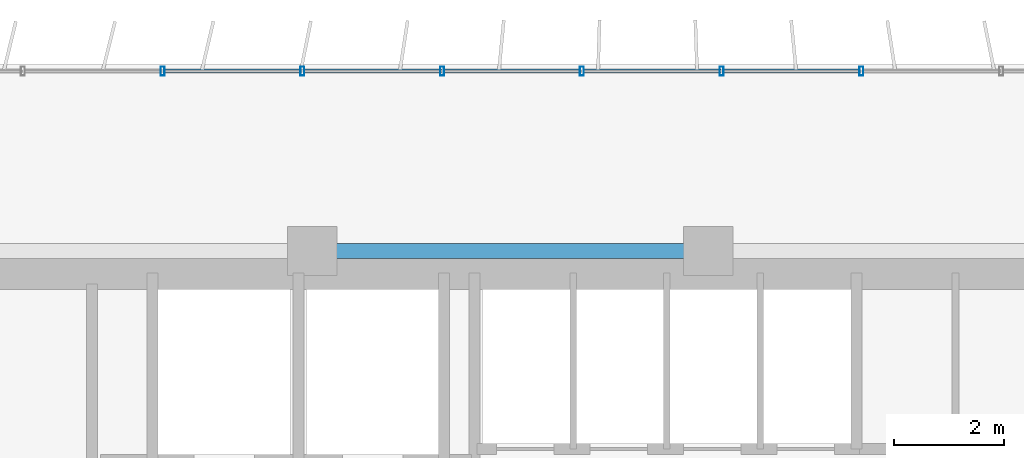
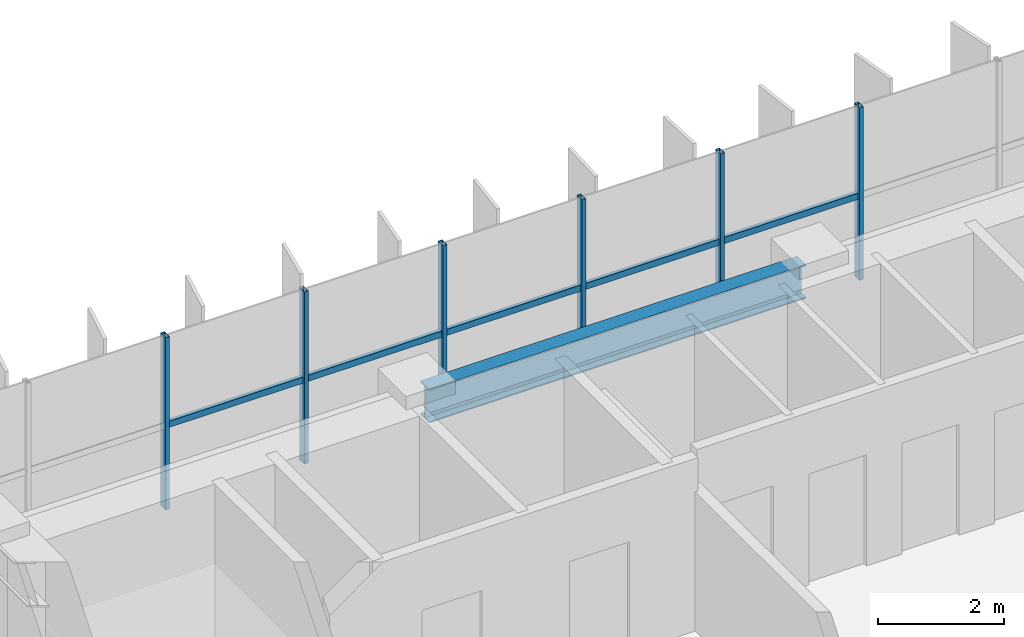
# One storey, part 7 of 21: 11 members, 1 beam, 1 element without a shape of its own.
"""IFC4 building model written with IfcOpenShell, lengths in metres."""

from ifc_helpers import new_model, si_unit, direction, frame, origin, origin_2d, place, context, subcontext, project, spatial, hollow_rectangle, i_section, extrude, source, transform, mapped, material, material_profile, profile_set, type_object, element, aggregate, save


model = new_model("IFC4")

# Units and contexts
model_context = context("Model", 3, precision=1e-05, world=origin(), true_north=direction((0.0, 1.0)))
body_context = subcontext(model_context, "Body", "Model", "MODEL_VIEW")
ifc_project = project(units=[si_unit("LENGTHUNIT", "METRE"), si_unit("AREAUNIT", "SQUARE_METRE"), si_unit("VOLUMEUNIT", "CUBIC_METRE"), si_unit("PLANEANGLEUNIT", "RADIAN"), si_unit("MASSUNIT", "GRAM", prefix="KILO")], contexts=[model_context])

# Site, building, storey
site_placement = place(None, origin())
site = spatial("IfcSite", under=ifc_project, at=site_placement, CompositionType="ELEMENT")
building_placement = place(site_placement, origin())
building = spatial("IfcBuilding", under=site, at=building_placement, Name="Trelvane Seafront Commons", CompositionType="ELEMENT")
storey_placement = place(building_placement, frame((0.0, 0.0, 41.5)))
storey = spatial("IfcBuildingStorey", under=building, at=storey_placement, Name="L10", CompositionType="ELEMENT", Elevation=41.5)

# Beam
ifc_material_1 = material(Name="Steel SM355 (S355)", Category="steel")
ifc_material_profile_1 = material_profile(ifc_material_1, i_section(OverallWidth=0.280029296875, OverallDepth=0.64990234375, WebThickness=0.012939453125, FlangeThickness=0.02197265625, at=origin_2d()), Name="H-650x280x13x22")
ifc_profile_set_1 = profile_set([ifc_material_profile_1], Name="Steel SM355 (S355)")
beam_type = type_object("IfcBeamType", Name="STR-BM-H650", PredefinedType="BEAM", material=ifc_profile_set_1)
shared_shape_1 = source(origin(), body_context, "Body", "SweptSolid", [
    extrude(i_section(OverallWidth=0.280029296875, OverallDepth=0.64990234375, WebThickness=0.012939453125, FlangeThickness=0.02197265625, at=origin_2d()), origin(), (0.0, 0.0, 1.0), 6.89990234375),
])
beam_placement = place(storey_placement, frame((23.550048828125, 45.10009765625, 3.014892578125), z_axis=(1.0, 0.0, 0.0), x_axis=(0.0, 1.0, 0.0)))
element("IfcBeam", 1, at=beam_placement, inside=storey, type_object=beam_type, Name="L10 Primary Girder G-31", PredefinedType="BEAM", context=body_context, shape_type="MappedRepresentation", body=[
    mapped(shared_shape_1, transform((0.0, 0.0, 0.0), x_axis=(1.0, 0.0, 0.0), y_axis=(0.0, 1.0, 0.0), z_axis=(0.0, 0.0, 1.0), scale=1.0)),
])

# Curtain wall, members
ifc_material_2 = material(Name="Anodised pale-silver aluminium", Category="aluminium")
curtain_wall_type = type_object("IfcCurtainWallType", Name="ARCH-CW2-LOWTOWER", PredefinedType="NOTDEFINED", material=ifc_material_2)
curtain_wall_placement = place(storey_placement, origin())
curtain_wall = element("IfcCurtainWall", 2, at=curtain_wall_placement, inside=storey, type_object=curtain_wall_type, Name="CW-L10-0034", PredefinedType="NOTDEFINED")
ifc_material_profile_2 = material_profile(ifc_material_2, hollow_rectangle(XDim=0.074951171875, YDim=0.159912109375, WallThickness=0.00390625, at=origin_2d()), Name="MULL-75x160x4")
ifc_profile_set_2 = profile_set([ifc_material_profile_2], Name="Anodised pale-silver aluminium")
member_type_1 = type_object("IfcMemberType", Name="ARCH-CW-MULL-160", PredefinedType="MULLION", material=ifc_profile_set_2)
shared_shape_2 = source(origin(), body_context, "Body", "SweptSolid", [
    extrude(hollow_rectangle(XDim=0.074951171875, YDim=0.159912109375, WallThickness=0.00390625, at=origin_2d()), origin(), (0.0, 0.0, 1.0), 3.340087890625),
])
member_1_placement = place(storey_placement, frame((20.682373046875, 48.3701171875, 0.0), z_axis=(0.0, 0.0, 1.0), x_axis=(1.0, 0.0, 0.0)))
member_1 = element("IfcMember", 3, at=member_1_placement, type_object=member_type_1, Name="CW-L10-0034-M02", PredefinedType="MULLION", context=body_context, shape_type="MappedRepresentation", body=[
    mapped(shared_shape_2, transform((0.0, 0.0, 0.0), x_axis=(1.0, 0.0, 0.0), y_axis=(0.0, 1.0, 0.0), z_axis=(0.0, 0.0, 1.0), scale=1.0)),
])
member_2_placement = place(storey_placement, frame((23.223388671875, 48.3701171875, 0.0), z_axis=(0.0, 0.0, 1.0), x_axis=(1.0, 0.0, 0.0)))
member_2 = element("IfcMember", 4, at=member_2_placement, type_object=member_type_1, Name="CW-L10-0034-M03", PredefinedType="MULLION", context=body_context, shape_type="MappedRepresentation", body=[
    mapped(shared_shape_2, transform((0.0, 0.0, 0.0), x_axis=(1.0, 0.0, 0.0), y_axis=(0.0, 1.0, 0.0), z_axis=(0.0, 0.0, 1.0), scale=1.0)),
])
member_3_placement = place(storey_placement, frame((25.7646484375, 48.3701171875, 0.0), z_axis=(0.0, 0.0, 1.0), x_axis=(1.0, 0.0, 0.0)))
member_3 = element("IfcMember", 5, at=member_3_placement, type_object=member_type_1, Name="CW-L10-0034-M04", PredefinedType="MULLION", context=body_context, shape_type="MappedRepresentation", body=[
    mapped(shared_shape_2, transform((0.0, 0.0, 0.0), x_axis=(1.0, 0.0, 0.0), y_axis=(0.0, 1.0, 0.0), z_axis=(0.0, 0.0, 1.0), scale=1.0)),
])
member_4_placement = place(storey_placement, frame((28.305908203125, 48.3701171875, 0.0), z_axis=(0.0, 0.0, 1.0), x_axis=(1.0, 0.0, 0.0)))
member_4 = element("IfcMember", 6, at=member_4_placement, type_object=member_type_1, Name="CW-L10-0034-M05", PredefinedType="MULLION", context=body_context, shape_type="MappedRepresentation", body=[
    mapped(shared_shape_2, transform((0.0, 0.0, 0.0), x_axis=(1.0, 0.0, 0.0), y_axis=(0.0, 1.0, 0.0), z_axis=(0.0, 0.0, 1.0), scale=1.0)),
])
member_5_placement = place(storey_placement, frame((30.84716796875, 48.3701171875, 0.0), z_axis=(0.0, 0.0, 1.0), x_axis=(1.0, 0.0, 0.0)))
member_5 = element("IfcMember", 7, at=member_5_placement, type_object=member_type_1, Name="CW-L10-0034-M06", PredefinedType="MULLION", context=body_context, shape_type="MappedRepresentation", body=[
    mapped(shared_shape_2, transform((0.0, 0.0, 0.0), x_axis=(1.0, 0.0, 0.0), y_axis=(0.0, 1.0, 0.0), z_axis=(0.0, 0.0, 1.0), scale=1.0)),
])
member_6_placement = place(storey_placement, frame((33.38818359375, 48.3701171875, 0.0), z_axis=(0.0, 0.0, 1.0), x_axis=(1.0, 0.0, 0.0)))
member_6 = element("IfcMember", 8, at=member_6_placement, type_object=member_type_1, Name="CW-L10-0034-M07", PredefinedType="MULLION", context=body_context, shape_type="MappedRepresentation", body=[
    mapped(shared_shape_2, transform((0.0, 0.0, 0.0), x_axis=(1.0, 0.0, 0.0), y_axis=(0.0, 1.0, 0.0), z_axis=(0.0, 0.0, 1.0), scale=1.0)),
])
ifc_material_profile_3 = material_profile(ifc_material_2, hollow_rectangle(XDim=0.070068359375, YDim=0.1201171875, WallThickness=0.00390625, at=origin_2d()), Name="TRAN-70x120x4")
ifc_profile_set_3 = profile_set([ifc_material_profile_3], Name="Anodised pale-silver aluminium")
member_type_2 = type_object("IfcMemberType", Name="ARCH-CW-TRAN-120", PredefinedType="USERDEFINED", material=ifc_profile_set_3)
shared_shape_3 = source(origin(), body_context, "Body", "SweptSolid", [
    extrude(hollow_rectangle(XDim=0.070068359375, YDim=0.1201171875, WallThickness=0.00390625, at=origin_2d()), origin(), (0.0, 0.0, 1.0), 2.51708984375),
])
member_7_placement = place(storey_placement, frame((20.6943359375, 48.3701171875, 1.60302734375), z_axis=(1.0, 0.0, 0.0), x_axis=(0.0, 1.0, 0.0)))
member_7 = element("IfcMember", 9, at=member_7_placement, type_object=member_type_2, Name="CW-L10-0034-T02", ObjectType="TRANSOM", PredefinedType="USERDEFINED", context=body_context, shape_type="MappedRepresentation", body=[
    mapped(shared_shape_3, transform((0.0, 0.0, 0.0), x_axis=(1.0, 0.0, 0.0), y_axis=(0.0, 1.0, 0.0), z_axis=(0.0, 0.0, 1.0), scale=1.0)),
])
member_8_placement = place(storey_placement, frame((23.235595703125, 48.3701171875, 1.60302734375), z_axis=(1.0, 0.0, 0.0), x_axis=(0.0, 1.0, 0.0)))
member_8 = element("IfcMember", 10, at=member_8_placement, type_object=member_type_2, Name="CW-L10-0034-T03", ObjectType="TRANSOM", PredefinedType="USERDEFINED", context=body_context, shape_type="MappedRepresentation", body=[
    mapped(shared_shape_3, transform((0.0, 0.0, 0.0), x_axis=(1.0, 0.0, 0.0), y_axis=(0.0, 1.0, 0.0), z_axis=(0.0, 0.0, 1.0), scale=1.0)),
])
member_9_placement = place(storey_placement, frame((30.859130859375, 48.3701171875, 1.60302734375), z_axis=(1.0, 0.0, 0.0), x_axis=(0.0, 1.0, 0.0)))
member_9 = element("IfcMember", 11, at=member_9_placement, type_object=member_type_2, Name="CW-L10-0034-T06", ObjectType="TRANSOM", PredefinedType="USERDEFINED", context=body_context, shape_type="MappedRepresentation", body=[
    mapped(shared_shape_3, transform((0.0, 0.0, 0.0), x_axis=(1.0, 0.0, 0.0), y_axis=(0.0, 1.0, 0.0), z_axis=(0.0, 0.0, 1.0), scale=1.0)),
])
shared_shape_4 = source(origin(), body_context, "Body", "SweptSolid", [
    extrude(hollow_rectangle(XDim=0.070068359375, YDim=0.1201171875, WallThickness=0.00390625, at=origin_2d()), origin(), (0.0, 0.0, 1.0), 2.517333984375),
])
member_10_placement = place(storey_placement, frame((25.776611328125, 48.3701171875, 1.60302734375), z_axis=(1.0, 0.0, 0.0), x_axis=(0.0, 1.0, 0.0)))
member_10 = element("IfcMember", 12, at=member_10_placement, type_object=member_type_2, Name="CW-L10-0034-T04", ObjectType="TRANSOM", PredefinedType="USERDEFINED", context=body_context, shape_type="MappedRepresentation", body=[
    mapped(shared_shape_4, transform((0.0, 0.0, 0.0), x_axis=(1.0, 0.0, 0.0), y_axis=(0.0, 1.0, 0.0), z_axis=(0.0, 0.0, 1.0), scale=1.0)),
])
member_11_placement = place(storey_placement, frame((28.31787109375, 48.3701171875, 1.60302734375), z_axis=(1.0, 0.0, 0.0), x_axis=(0.0, 1.0, 0.0)))
member_11 = element("IfcMember", 13, at=member_11_placement, type_object=member_type_2, Name="CW-L10-0034-T05", ObjectType="TRANSOM", PredefinedType="USERDEFINED", context=body_context, shape_type="MappedRepresentation", body=[
    mapped(shared_shape_4, transform((0.0, 0.0, 0.0), x_axis=(1.0, 0.0, 0.0), y_axis=(0.0, 1.0, 0.0), z_axis=(0.0, 0.0, 1.0), scale=1.0)),
])
aggregate(curtain_wall, [member_1, member_2, member_3, member_4, member_5, member_6, member_7, member_8, member_10, member_11, member_9])

save(model, "model.ifc")
